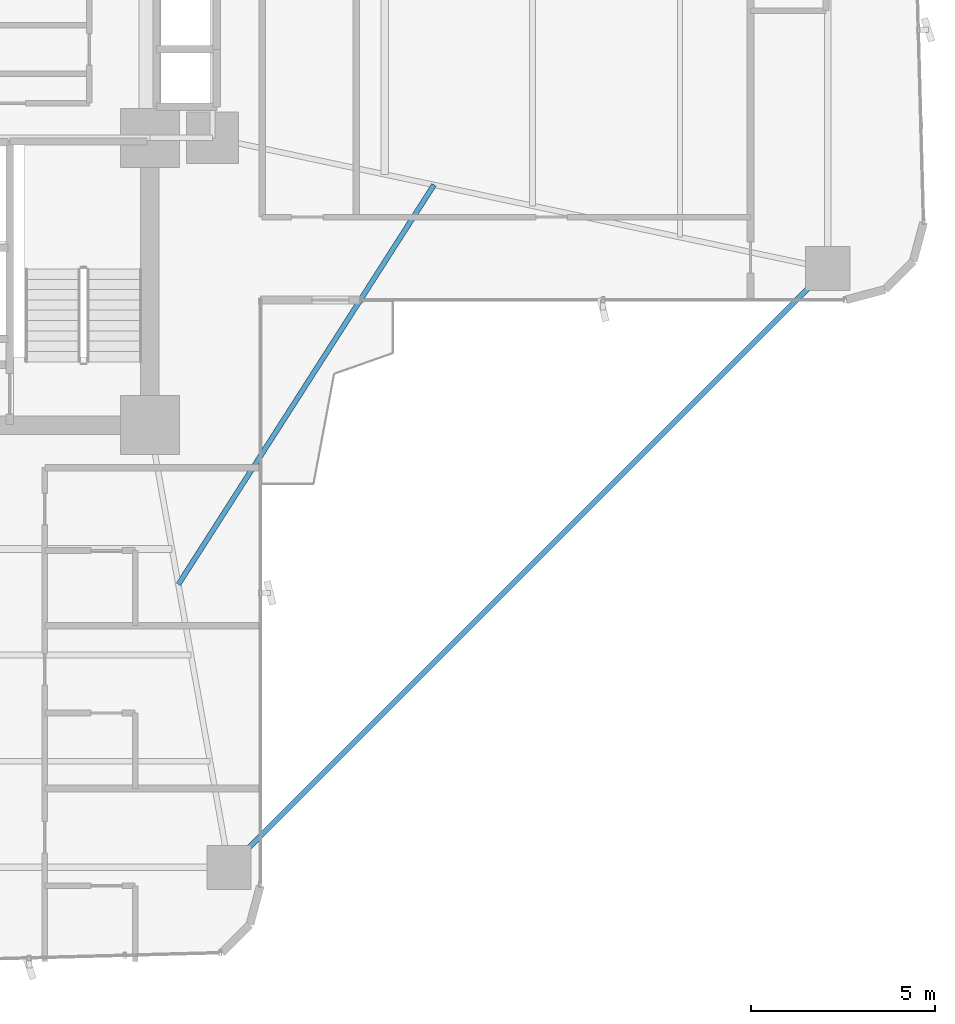
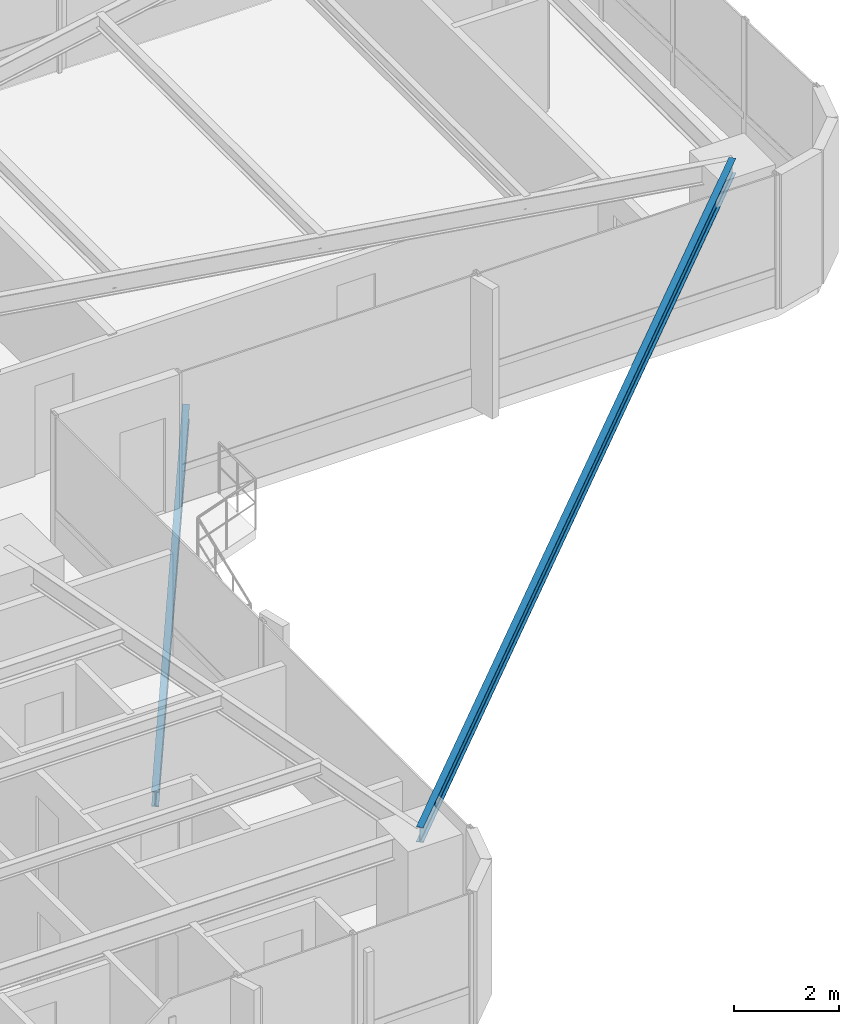
# One storey, part 13 of 25: 2 beams.
"""IFC4 building model written with IfcOpenShell, lengths in metres."""

from ifc_helpers import new_model, si_unit, direction, frame, origin, origin_2d, place, context, subcontext, project, spatial, i_section, extrude, source, transform, mapped, material, material_profile, profile_set, type_object, element, save


model = new_model("IFC4")

# Units and contexts
model_context = context("Model", 3, precision=1e-05, world=origin(), true_north=direction((0.0, 1.0)))
body_context = subcontext(model_context, "Body", "Model", "MODEL_VIEW")
ifc_project = project(units=[si_unit("LENGTHUNIT", "METRE"), si_unit("AREAUNIT", "SQUARE_METRE"), si_unit("VOLUMEUNIT", "CUBIC_METRE"), si_unit("PLANEANGLEUNIT", "RADIAN"), si_unit("MASSUNIT", "GRAM", prefix="KILO")], contexts=[model_context])

# Site, building, storey
site_placement = place(None, origin())
site = spatial("IfcSite", under=ifc_project, at=site_placement, CompositionType="ELEMENT")
building_placement = place(site_placement, origin())
building = spatial("IfcBuilding", under=site, at=building_placement, Name="Sahyath Konkavel Grand Hotel", CompositionType="ELEMENT")
storey_placement = place(building_placement, frame((0.0, 0.0, 39.85009765625)))
storey = spatial("IfcBuildingStorey", under=building, at=storey_placement, Name="L10", CompositionType="ELEMENT", Elevation=39.85009765625)

# Beams
ifc_material = material(Name="Steel E350", Category="steel")
ifc_material_profile_1 = material_profile(ifc_material, i_section(OverallWidth=0.139892578125, OverallDepth=0.35009765625, WebThickness=0.008056640625, FlangeThickness=0.01416015625, FilletRadius=0.013916015625, at=origin_2d()), Name="ISMB 350")
ifc_profile_set_1 = profile_set([ifc_material_profile_1], Name="Steel E350")
beam_type_1 = type_object("IfcBeamType", Name="BM-ISMB350", PredefinedType="BEAM", material=ifc_profile_set_1)
shared_shape_1 = source(origin(), body_context, "Body", "SweptSolid", [
    extrude(i_section(OverallWidth=0.139892578125, OverallDepth=0.35009765625, WebThickness=0.008056640625, FlangeThickness=0.01416015625, FilletRadius=0.013916015625, at=origin_2d()), origin(), (0.0, 0.0, 1.0), 22.98095703125),
])
beam_1_placement = place(storey_placement, frame((22.199951171875, -5.949951171875, 2.934814453125), z_axis=(-0.707106781187, -0.707106781187, 0.0), x_axis=(0.707106781187, -0.707106781187, 0.0)))
element("IfcBeam", 1, at=beam_1_placement, inside=storey, type_object=beam_type_1, Name="L10 Re-Entrant Tie Beam SE", PredefinedType="BEAM", context=body_context, shape_type="MappedRepresentation", body=[
    mapped(shared_shape_1, transform((0.0, 0.0, 0.0), scale=1.0)),
])
ifc_material_profile_2 = material_profile(ifc_material, i_section(OverallWidth=0.139892578125, OverallDepth=0.35009765625, WebThickness=0.008056640625, FlangeThickness=0.01416015625, FilletRadius=0.013916015625, at=origin_2d()), Name="ISMB 350")
ifc_profile_set_2 = profile_set([ifc_material_profile_2], Name="Steel E350")
beam_type_2 = type_object("IfcBeamType", Name="BM-BALC-CANT", PredefinedType="BEAM", material=ifc_profile_set_2)
shared_shape_2 = source(origin(), body_context, "Body", "SweptSolid", [
    extrude(i_section(OverallWidth=0.139892578125, OverallDepth=0.35009765625, WebThickness=0.008056640625, FlangeThickness=0.01416015625, FilletRadius=0.013916015625, at=origin_2d()), origin(), (0.0, 0.0, 1.0), 12.871826171875),
])
beam_2_placement = place(storey_placement, frame((4.573974609375, -14.52001953125, -0.4150390625), z_axis=(0.539003102535, 0.842303778608, 0.0), x_axis=(-0.842303778608, 0.539003102535, 0.0)))
element("IfcBeam", 2, at=beam_2_placement, inside=storey, type_object=beam_type_2, Name="L10 Balcony Cantilever Support Beam SE", PredefinedType="BEAM", context=body_context, shape_type="MappedRepresentation", body=[
    mapped(shared_shape_2, transform((0.0, 0.0, 0.0), scale=1.0)),
])

save(model, "model.ifc")
